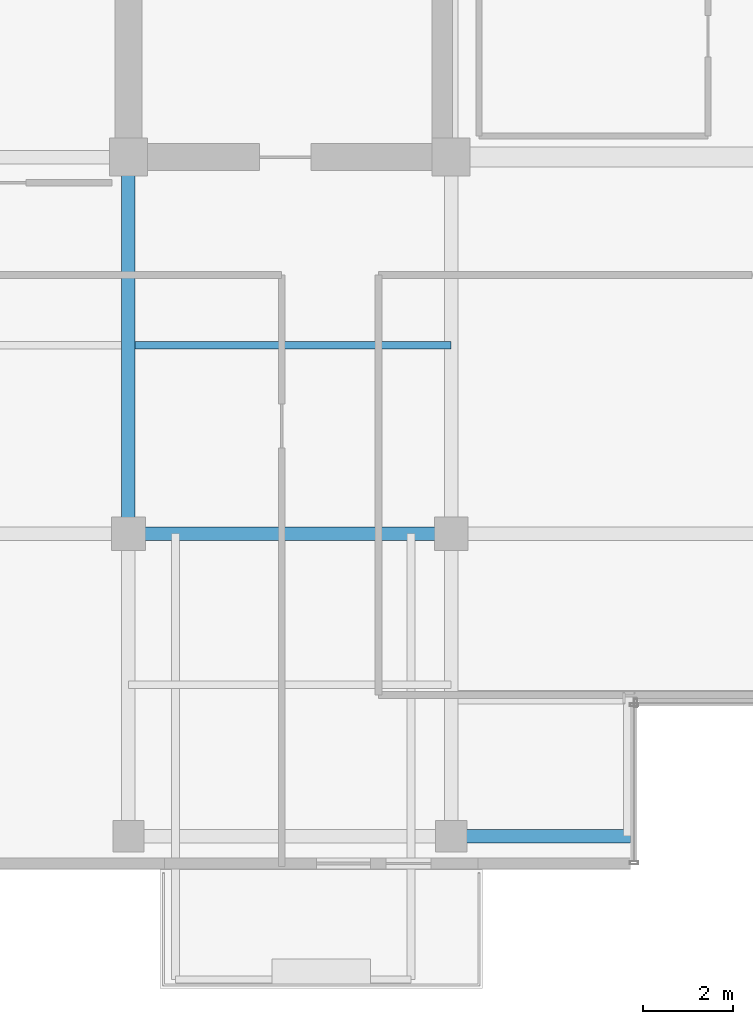
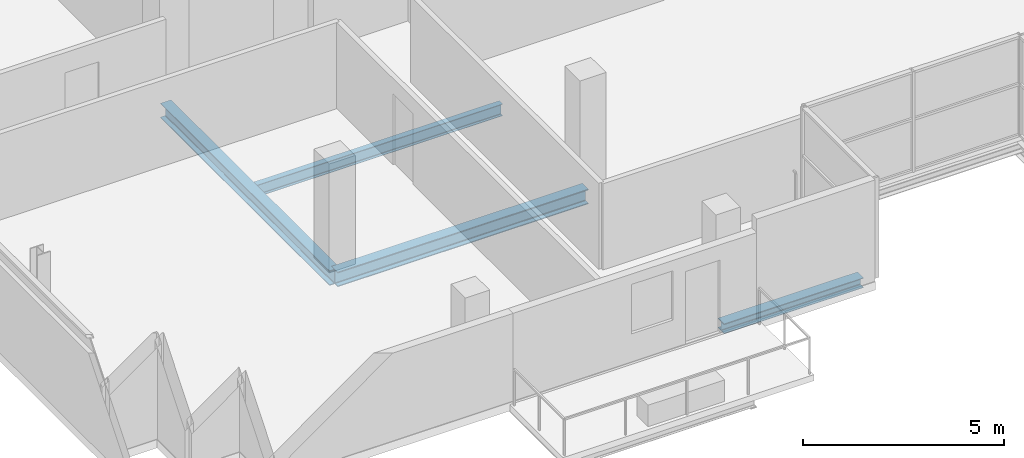
# One storey, part 5 of 24: 4 beams.
"""IFC4 building model written with IfcOpenShell, lengths in metres."""

from ifc_helpers import new_model, si_unit, direction, frame, origin, origin_2d, place, context, subcontext, project, spatial, i_section, extrude, material, material_profile, profile_set, type_object, element, save


model = new_model("IFC4")

# Units and contexts
model_context = context("Model", 3, precision=1e-05, world=origin(), true_north=direction((0.0, 1.0)))
body_context = subcontext(model_context, "Body", "Model", "MODEL_VIEW")
ifc_project = project(units=[si_unit("LENGTHUNIT", "METRE"), si_unit("AREAUNIT", "SQUARE_METRE"), si_unit("VOLUMEUNIT", "CUBIC_METRE"), si_unit("PLANEANGLEUNIT", "RADIAN"), si_unit("MASSUNIT", "GRAM", prefix="KILO")], contexts=[model_context])

# Site, building, storey
site_placement = place(None, origin())
site = spatial("IfcSite", under=ifc_project, at=site_placement, CompositionType="ELEMENT")
building_placement = place(site_placement, origin())
building = spatial("IfcBuilding", under=site, at=building_placement, Name="Zarnakvel Exchange Tower", CompositionType="ELEMENT")
storey_placement = place(building_placement, frame((0.0, 0.0, 205.60009765625)))
storey = spatial("IfcBuildingStorey", under=building, at=storey_placement, Name="L57", CompositionType="ELEMENT", Elevation=205.60009765625)

# Beams
ifc_material = material(Name="Steel S355", Category="steel")
ifc_material_profile_1 = material_profile(ifc_material, i_section(OverallWidth=0.169921875, OverallDepth=0.360107421875, WebThickness=0.008056640625, FlangeThickness=0.0126953125, FilletRadius=0.01806640625, at=origin_2d()))
ifc_profile_set_1 = profile_set([ifc_material_profile_1], Name="Steel S355")
beam_type_1 = type_object("IfcBeamType", Name="B-07", PredefinedType="JOIST", material=ifc_profile_set_1)
beam_1_placement = place(storey_placement, frame((-14.25, -5.39990234375, -0.43017578125), z_axis=(1.0, 0.0, 0.0), x_axis=(0.0, 1.0, 0.0)))
element("IfcBeam", 1, at=beam_1_placement, inside=storey, type_object=beam_type_1, Name="L57 Composite Floor Secondary Joist", PredefinedType="JOIST", context=body_context, shape_type="SweptSolid", body=[
    extrude(i_section(OverallWidth=0.169921875, OverallDepth=0.360107421875, WebThickness=0.008056640625, FlangeThickness=0.0126953125, FilletRadius=0.01806640625, at=origin_2d()), origin(), (0.0, 0.0, 1.0), 7.050048828125),
])
ifc_material_profile_2 = material_profile(ifc_material, i_section(OverallWidth=0.300048828125, OverallDepth=0.449951171875, WebThickness=0.013916015625, FlangeThickness=0.02587890625, FilletRadius=0.027099609375, at=origin_2d()))
ifc_profile_set_2 = profile_set([ifc_material_profile_2], Name="Steel S355")
beam_type_2 = type_object("IfcBeamType", Name="G-07", PredefinedType="BEAM", material=ifc_profile_set_2)
beam_2_placement = place(storey_placement, frame((-14.39990234375, -9.60009765625, -0.47509765625), z_axis=(1.0, 0.0, 0.0), x_axis=(0.0, 1.0, 0.0)))
element("IfcBeam", 2, at=beam_2_placement, inside=storey, type_object=beam_type_2, Name="L57 Tower E-W Frame Beam", PredefinedType="BEAM", context=body_context, shape_type="SweptSolid", body=[
    extrude(i_section(OverallWidth=0.300048828125, OverallDepth=0.449951171875, WebThickness=0.013916015625, FlangeThickness=0.02587890625, FilletRadius=0.027099609375, at=origin_2d()), origin(), (0.0, 0.0, 1.0), 7.199951171875),
])
beam_3_placement = place(storey_placement, frame((-14.39990234375, -9.60009765625, -0.47509765625), z_axis=(0.0, 1.0, 0.0), x_axis=(-1.0, 0.0, 0.0)))
element("IfcBeam", 3, at=beam_3_placement, inside=storey, type_object=beam_type_2, Name="L57 Tower N-S Frame Beam", PredefinedType="BEAM", context=body_context, shape_type="SweptSolid", body=[
    extrude(i_section(OverallWidth=0.300048828125, OverallDepth=0.449951171875, WebThickness=0.013916015625, FlangeThickness=0.02587890625, FilletRadius=0.027099609375, at=origin_2d()), origin(), (0.0, 0.0, 1.0), 8.400146484375),
])
ifc_material_profile_3 = material_profile(ifc_material, i_section(OverallWidth=0.300048828125, OverallDepth=0.300048828125, WebThickness=0.010986328125, FlangeThickness=0.01904296875, FilletRadius=0.027099609375, at=origin_2d()))
ifc_profile_set_3 = profile_set([ifc_material_profile_3], Name="Steel S355")
beam_type_3 = type_object("IfcBeamType", Name="SP-03", PredefinedType="SPANDREL", material=ifc_profile_set_3)
beam_4_placement = place(storey_placement, frame((-7.199951171875, -16.35009765625, -0.400146484375), z_axis=(1.0, 0.0, 0.0), x_axis=(0.0, 1.0, 0.0)))
element("IfcBeam", 4, at=beam_4_placement, inside=storey, type_object=beam_type_3, Name="L57 South Slot West Jamb Spandrel", PredefinedType="SPANDREL", context=body_context, shape_type="SweptSolid", body=[
    extrude(i_section(OverallWidth=0.300048828125, OverallDepth=0.300048828125, WebThickness=0.010986328125, FlangeThickness=0.01904296875, FilletRadius=0.027099609375, at=origin_2d()), origin(), (0.0, 0.0, 1.0), 4.0),
])

save(model, "model.ifc")
